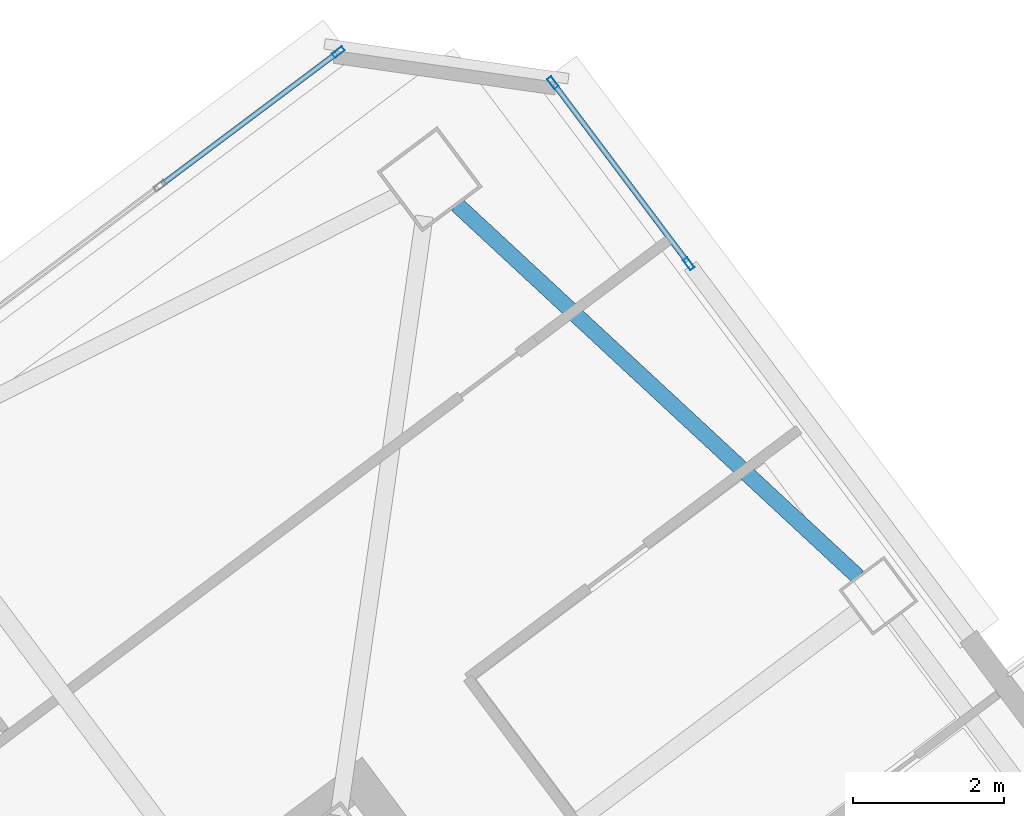
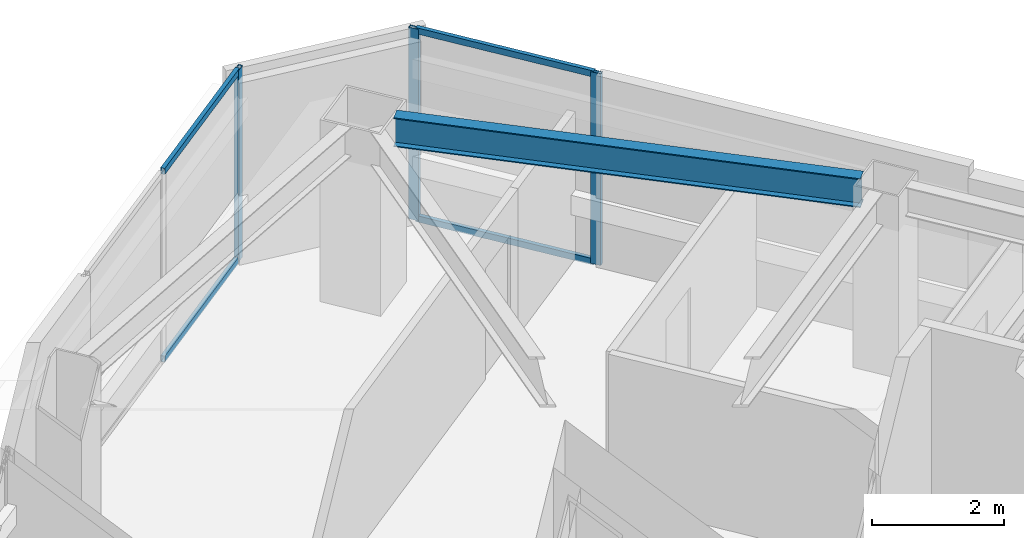
# One storey, part 26 of 39: 7 members, 1 beam, 2 elements without a shape of their own.
"""IFC4 building model written with IfcOpenShell, lengths in metres."""

from ifc_helpers import new_model, si_unit, direction, frame, origin, origin_2d, place, context, subcontext, project, spatial, hollow_rectangle, i_section, extrude, material, material_profile, profile_set, type_object, element, aggregate, save


model = new_model("IFC4")

# Units and contexts
model_context = context("Model", 3, precision=1e-05, world=origin(), true_north=direction((0.0, 1.0)))
body_context = subcontext(model_context, "Body", "Model", "MODEL_VIEW")
ifc_project = project(units=[si_unit("LENGTHUNIT", "METRE"), si_unit("AREAUNIT", "SQUARE_METRE"), si_unit("VOLUMEUNIT", "CUBIC_METRE"), si_unit("PLANEANGLEUNIT", "RADIAN"), si_unit("MASSUNIT", "GRAM", prefix="KILO")], contexts=[model_context])

# Site, building, storey
site_placement = place(None, origin())
site = spatial("IfcSite", under=ifc_project, at=site_placement, CompositionType="ELEMENT")
building_placement = place(site_placement, origin())
building = spatial("IfcBuilding", under=site, at=building_placement, Name="Tashvorn Skyway Center", CompositionType="ELEMENT")
storey_placement = place(building_placement, frame((0.0, 0.0, 214.85009765625)))
storey = spatial("IfcBuildingStorey", under=building, at=storey_placement, Name="L58", CompositionType="ELEMENT", Elevation=214.85009765625)

# Beam
ifc_material_1 = material(Name="Steel ASTM A992 Grade 50", Category="steel")
ifc_material_profile_1 = material_profile(ifc_material_1, i_section(OverallWidth=0.2109375, OverallDepth=0.5390625, WebThickness=0.01171875, FlangeThickness=0.018798828125, at=origin_2d()), Name="W21X73")
ifc_profile_set_1 = profile_set([ifc_material_profile_1], Name="Steel ASTM A992 Grade 50")
beam_type = type_object("IfcBeamType", Name="BM-SPANDREL-W21X73", PredefinedType="SPANDREL", material=ifc_profile_set_1)
beam_placement = place(storey_placement, frame((122.36865234375, 45.481689453125, 3.100341796875), z_axis=(-0.733042389989, 0.680182956622, 0.0), x_axis=(-0.680182956622, -0.733042389989, 0.0)))
element("IfcBeam", 1, at=beam_placement, inside=storey, type_object=beam_type, Name="Tower 2 L58 Spandrel Beam 06", PredefinedType="SPANDREL", context=body_context, shape_type="SweptSolid", body=[
    extrude(i_section(OverallWidth=0.2109375, OverallDepth=0.5390625, WebThickness=0.01171875, FlangeThickness=0.018798828125, at=origin_2d()), origin(), (0.0, 0.0, 1.0), 7.26513671875),
])

# Curtain wall, member
ifc_material_2 = material(Name="Thermally broken bronze-anodized aluminium 6063-T6", Category="aluminium")
curtain_wall_type = type_object("IfcCurtainWallType", Name="CW-CW-Z5", PredefinedType="NOTDEFINED", material=ifc_material_2)
curtain_wall_1_placement = place(storey_placement, origin())
curtain_wall_1 = element("IfcCurtainWall", 2, at=curtain_wall_1_placement, inside=storey, type_object=curtain_wall_type, Name="Tower 2 L58 North Unitised Curtain Wall Glazing Group 3", PredefinedType="NOTDEFINED")
ifc_material_profile_2 = material_profile(ifc_material_2, hollow_rectangle(XDim=0.070068359375, YDim=0.1650390625, WallThickness=0.00390625, at=origin_2d()), Name="ALU-MULL-70x165")
ifc_profile_set_2 = profile_set([ifc_material_profile_2], Name="Thermally broken bronze-anodized aluminium 6063-T6")
member_type_1 = type_object("IfcMemberType", Name="CWM-CW-Z5", PredefinedType="MULLION", material=ifc_profile_set_2)
member_1_placement = place(storey_placement, frame((115.468017578125, 52.450927734375, 0.0), z_axis=(0.0, 0.0, 1.0), x_axis=(-0.600002670604, 0.79999799704, 0.0)))
member_1 = element("IfcMember", 3, at=member_1_placement, type_object=member_type_1, Name="CW-Z5 mullion 3", PredefinedType="MULLION", context=body_context, shape_type="SweptSolid", body=[
    extrude(hollow_rectangle(XDim=0.070068359375, YDim=0.1650390625, WallThickness=0.00390625, at=origin_2d()), origin(), (0.0, 0.0, 1.0), 3.5498046875),
])

# Curtain wall, members
curtain_wall_2_placement = place(storey_placement, origin())
curtain_wall_2 = element("IfcCurtainWall", 4, at=curtain_wall_2_placement, inside=storey, type_object=curtain_wall_type, Name="Tower 2 L58 East Curtain Wall L Glazing Group 1", PredefinedType="NOTDEFINED")
member_2_placement = place(storey_placement, frame((118.31689453125, 52.0439453125, 0.0), z_axis=(0.0, 0.0, 1.0), x_axis=(0.799996099621, 0.60000520047, 0.0)))
member_2 = element("IfcMember", 5, at=member_2_placement, type_object=member_type_1, Name="CW-Z5 mullion 1", PredefinedType="MULLION", context=body_context, shape_type="SweptSolid", body=[
    extrude(hollow_rectangle(XDim=0.070068359375, YDim=0.1650390625, WallThickness=0.00390625, at=origin_2d()), origin(), (0.0, 0.0, 1.0), 3.5498046875),
])
member_3_placement = place(storey_placement, frame((120.12109375, 49.638671875, 0.0), z_axis=(0.0, 0.0, 1.0), x_axis=(0.799996099621, 0.60000520047, 0.0)))
member_3 = element("IfcMember", 6, at=member_3_placement, type_object=member_type_1, Name="CW-Z5 mullion 2", PredefinedType="MULLION", context=body_context, shape_type="SweptSolid", body=[
    extrude(hollow_rectangle(XDim=0.070068359375, YDim=0.1650390625, WallThickness=0.00390625, at=origin_2d()), origin(), (0.0, 0.0, 1.0), 3.5498046875),
])

# Member
ifc_material_profile_3 = material_profile(ifc_material_2, hollow_rectangle(XDim=0.070068359375, YDim=0.114990234375, WallThickness=0.00390625, at=origin_2d()), Name="ALU-TRAN-70x115")
ifc_profile_set_3 = profile_set([ifc_material_profile_3], Name="Thermally broken bronze-anodized aluminium 6063-T6")
member_type_2 = type_object("IfcMemberType", Name="CWT-CW-Z5", PredefinedType="USERDEFINED", material=ifc_profile_set_3)
member_4_placement = place(storey_placement, frame((113.12744140625, 50.695556640625, 0.034912109375), z_axis=(0.8, 0.6, 0.0), x_axis=(-0.6, 0.8, 0.0)))
member_4 = element("IfcMember", 7, at=member_4_placement, type_object=member_type_2, Name="CW-Z5 transom 2.1", ObjectType="TRANSOM", PredefinedType="USERDEFINED", context=body_context, shape_type="SweptSolid", body=[
    extrude(hollow_rectangle(XDim=0.070068359375, YDim=0.114990234375, WallThickness=0.00390625, at=origin_2d()), origin(), (0.0, 0.0, 1.0), 2.890625),
])

member_5_placement = place(storey_placement, frame((113.12744140625, 50.695556640625, 3.514892578125), z_axis=(0.8, 0.6, 0.0), x_axis=(-0.6, 0.8, 0.0)))
member_5 = element("IfcMember", 8, at=member_5_placement, type_object=member_type_2, Name="CW-Z5 transom 2.2", ObjectType="TRANSOM", PredefinedType="USERDEFINED", context=body_context, shape_type="SweptSolid", body=[
    extrude(hollow_rectangle(XDim=0.070068359375, YDim=0.114990234375, WallThickness=0.00390625, at=origin_2d()), origin(), (0.0, 0.0, 1.0), 2.890625),
])

aggregate(curtain_wall_1, [member_1, member_4, member_5])

member_6_placement = place(storey_placement, frame((118.337890625, 52.01611328125, 0.034912109375), z_axis=(0.600039902157, -0.799970071828, 0.0), x_axis=(0.799970071828, 0.600039902157, 0.0)))
member_6 = element("IfcMember", 9, at=member_6_placement, type_object=member_type_2, Name="CW-Z5 transom 1.1", ObjectType="TRANSOM", PredefinedType="USERDEFINED", context=body_context, shape_type="SweptSolid", body=[
    extrude(hollow_rectangle(XDim=0.070068359375, YDim=0.114990234375, WallThickness=0.00390625, at=origin_2d()), origin(), (0.0, 0.0, 1.0), 2.936767578125),
])

member_7_placement = place(storey_placement, frame((118.337890625, 52.01611328125, 3.514892578125), z_axis=(0.600039902157, -0.799970071828, 0.0), x_axis=(0.799970071828, 0.600039902157, 0.0)))
member_7 = element("IfcMember", 10, at=member_7_placement, type_object=member_type_2, Name="CW-Z5 transom 1.2", ObjectType="TRANSOM", PredefinedType="USERDEFINED", context=body_context, shape_type="SweptSolid", body=[
    extrude(hollow_rectangle(XDim=0.070068359375, YDim=0.114990234375, WallThickness=0.00390625, at=origin_2d()), origin(), (0.0, 0.0, 1.0), 2.936767578125),
])

aggregate(curtain_wall_2, [member_2, member_3, member_6, member_7])

save(model, "model.ifc")
